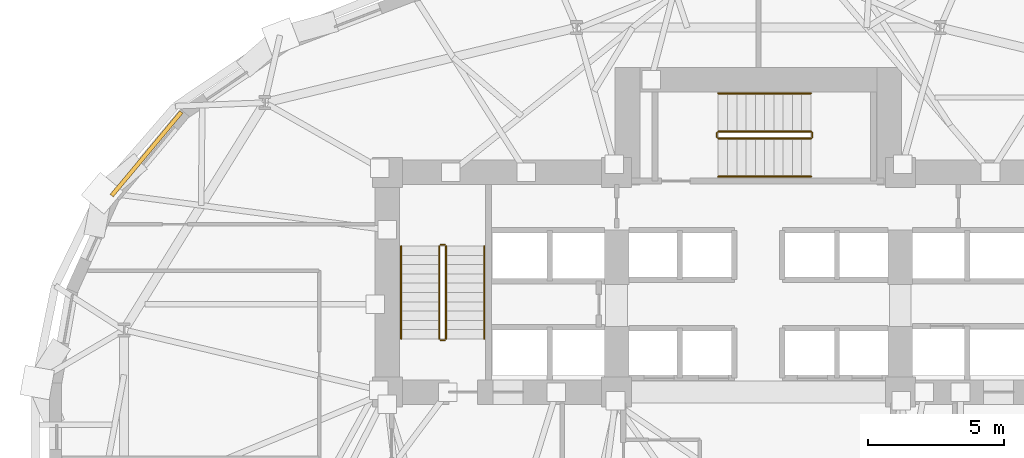
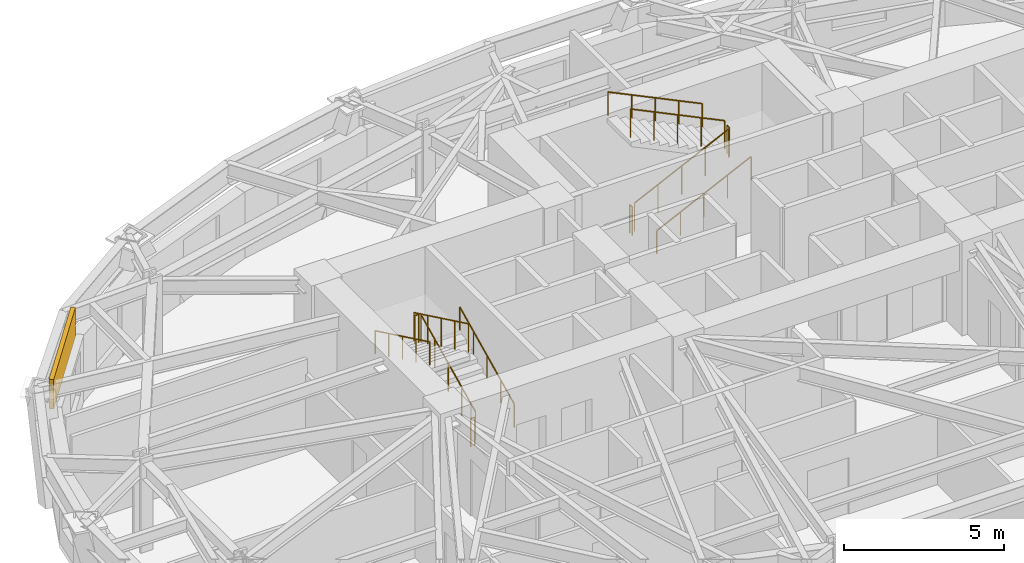
# One storey, part 11 of 13: 12 railings, 1 covering.
"""IFC4 building model written with IfcOpenShell, lengths in metres."""

from ifc_helpers import new_model, si_unit, direction, frame, origin, origin_2d, place, context, subcontext, project, spatial, rectangle, circle, extrude, material, layer, layer_set, type_object, element, save


model = new_model("IFC4")

# Units and contexts
model_context = context("Model", 3, precision=1e-05, world=origin(), true_north=direction((0.0, 1.0)))
body_context = subcontext(model_context, "Body", "Model", "MODEL_VIEW")
ifc_project = project(units=[si_unit("LENGTHUNIT", "METRE"), si_unit("AREAUNIT", "SQUARE_METRE"), si_unit("VOLUMEUNIT", "CUBIC_METRE"), si_unit("PLANEANGLEUNIT", "RADIAN"), si_unit("MASSUNIT", "GRAM", prefix="KILO")], contexts=[model_context])

# Site, building, storey
site_placement = place(None, origin())
site = spatial("IfcSite", under=ifc_project, at=site_placement, CompositionType="ELEMENT")
building_placement = place(site_placement, origin())
building = spatial("IfcBuilding", under=site, at=building_placement, Name="Keldmark Tower", CompositionType="ELEMENT")
storey_placement = place(building_placement, frame((0.0, 0.0, 34.199951171875)))
storey = spatial("IfcBuildingStorey", under=building, at=storey_placement, Name="L08", CompositionType="ELEMENT", Elevation=34.199951171875)

# Covering
ifc_material_1 = material(Name="Honed Kasota Buff Dolomitic Limestone", Category="masonry")
ifc_layer = layer(ifc_material_1, 0.074951171875)
ifc_layer_set = layer_set([ifc_layer], Name="Honed Kasota Buff Dolomitic Limestone")
covering_type = type_object("IfcCoveringType", Name="Kasota Buff Limestone Spandrel Cladding Band", PredefinedType="CLADDING", material=ifc_layer_set)
covering_placement = place(storey_placement, frame((-22.430419921875, 10.133544921875, 2.453125), z_axis=(0.0, 0.0, 1.0), x_axis=(-0.640686109478, -0.767802910337, 0.0)))
element("IfcCovering", 1, at=covering_placement, inside=storey, type_object=covering_type, Name="L08 Kasota Limestone Spandrel Band 13", PredefinedType="CLADDING", context=body_context, shape_type="SweptSolid", body=[
    extrude(rectangle(XDim=3.989501953125, YDim=0.14990234375, at=origin_2d()), origin(), (0.0, 0.0, 1.0), 1.126953125),
])

# Railings
ifc_material_2 = material(Name="Painted Steel ASTM A500 Grade B", Category="steel")
railing_type_1 = type_object("IfcRailingType", Name="Painted Steel Stair Well Guard 1100 mm", PredefinedType="GUARDRAIL", material=ifc_material_2)
railing_1_placement = place(storey_placement, frame((-11.449951171875, 3.35009765625, 0.16357421875)))
element("IfcRailing", 2, at=railing_1_placement, inside=storey, type_object=railing_type_1, Name="L08 ST1 stair guard 1", PredefinedType="GUARDRAIL", context=body_context, shape_type="SweptSolid", body=[
    extrude(circle(Radius=0.02392578125, at=origin_2d()), frame((0.0, 0.0, 1.076171875), z_axis=(0.0, 0.901055053782, 0.433704726806), x_axis=(-1.0, 0.0, 0.0)), (0.0, 0.0, 1.0), 3.773193359375),
    extrude(circle(Radius=0.02099609375, at=origin_2d()), origin(), (0.0, 0.0, 1.0), 1.052001953125),
    extrude(circle(Radius=0.02099609375, at=origin_2d()), frame((0.0, 0.85009765625, 0.4091796875)), (0.0, 0.0, 1.0), 1.052001953125),
    extrude(circle(Radius=0.02099609375, at=origin_2d()), frame((0.0, 1.699951171875, 0.818359375)), (0.0, 0.0, 1.0), 1.052001953125),
    extrude(circle(Radius=0.02099609375, at=origin_2d()), frame((0.0, 2.5498046875, 1.227294921875)), (0.0, 0.0, 1.0), 1.052001953125),
    extrude(circle(Radius=0.02099609375, at=origin_2d()), frame((0.0, 3.39990234375, 1.636474609375)), (0.0, 0.0, 1.0), 1.052001953125),
])
railing_2_placement = place(storey_placement, frame((-11.5, 6.800048828125, 1.800048828125)))
element("IfcRailing", 3, at=railing_2_placement, inside=storey, type_object=railing_type_1, Name="L08 ST1 stair guard 2", PredefinedType="GUARDRAIL", context=body_context, shape_type="SweptSolid", body=[
    extrude(circle(Radius=0.02392578125, at=origin_2d()), frame((0.0, 0.0, 1.076171875), z_axis=(-1.0, 0.0, 0.0), x_axis=(0.0, -1.0, 0.0)), (0.0, 0.0, 1.0), 0.14990234375),
    extrude(circle(Radius=0.02099609375, at=origin_2d()), origin(), (0.0, 0.0, 1.0), 1.052001953125),
    extrude(circle(Radius=0.02099609375, at=origin_2d()), frame((-0.14990234375, 0.0, 0.0)), (0.0, 0.0, 1.0), 1.052001953125),
])
railing_3_placement = place(storey_placement, frame((-11.699951171875, 6.75, 1.963623046875)))
element("IfcRailing", 4, at=railing_3_placement, inside=storey, type_object=railing_type_1, Name="L08 ST1 stair guard 3", PredefinedType="GUARDRAIL", context=body_context, shape_type="SweptSolid", body=[
    extrude(circle(Radius=0.02392578125, at=origin_2d()), frame((0.0, 0.0, 1.076171875), z_axis=(0.0, -0.901055053782, 0.433704726806), x_axis=(1.0, 0.0, 0.0)), (0.0, 0.0, 1.0), 3.773193359375),
    extrude(circle(Radius=0.02099609375, at=origin_2d()), origin(), (0.0, 0.0, 1.0), 1.052001953125),
    extrude(circle(Radius=0.02099609375, at=origin_2d()), frame((0.0, -0.85009765625, 0.4091796875)), (0.0, 0.0, 1.0), 1.052001953125),
    extrude(circle(Radius=0.02099609375, at=origin_2d()), frame((0.0, -1.699951171875, 0.818359375)), (0.0, 0.0, 1.0), 1.052001953125),
    extrude(circle(Radius=0.02099609375, at=origin_2d()), frame((0.0, -2.5498046875, 1.227294921875)), (0.0, 0.0, 1.0), 1.052001953125),
    extrude(circle(Radius=0.02099609375, at=origin_2d()), frame((0.0, -3.39990234375, 1.636474609375)), (0.0, 0.0, 1.0), 1.052001953125),
])
railing_4_placement = place(storey_placement, frame((-11.5, 3.300048828125, 0.0)))
element("IfcRailing", 5, at=railing_4_placement, inside=storey, type_object=railing_type_1, Name="L08 ST1 stair guard 4", PredefinedType="GUARDRAIL", context=body_context, shape_type="SweptSolid", body=[
    extrude(circle(Radius=0.02392578125, at=origin_2d()), frame((0.0, 0.0, 1.076171875), z_axis=(-1.0, 0.0, 0.0), x_axis=(0.0, -1.0, 0.0)), (0.0, 0.0, 1.0), 0.14990234375),
    extrude(circle(Radius=0.02099609375, at=origin_2d()), origin(), (0.0, 0.0, 1.0), 1.052001953125),
    extrude(circle(Radius=0.02099609375, at=origin_2d()), frame((-0.14990234375, 0.0, 0.0)), (0.0, 0.0, 1.0), 1.052001953125),
])
railing_5_placement = place(storey_placement, frame((-1.47509765625, 10.699951171875, 0.16357421875)))
element("IfcRailing", 6, at=railing_5_placement, inside=storey, type_object=railing_type_1, Name="L08 ST3 stair guard 1", PredefinedType="GUARDRAIL", context=body_context, shape_type="SweptSolid", body=[
    extrude(circle(Radius=0.02392578125, at=origin_2d()), frame((0.0, 0.0, 1.076171875), z_axis=(0.901067223353, 0.0, 0.433679442675), x_axis=(0.0, 1.0, 0.0)), (0.0, 0.0, 1.0), 3.7734375),
    extrude(circle(Radius=0.02099609375, at=origin_2d()), origin(), (0.0, 0.0, 1.0), 1.052001953125),
    extrude(circle(Radius=0.02099609375, at=origin_2d()), frame((0.85009765625, 0.0, 0.4091796875)), (0.0, 0.0, 1.0), 1.052001953125),
    extrude(circle(Radius=0.02099609375, at=origin_2d()), frame((1.7001953125, 0.0, 0.818359375)), (0.0, 0.0, 1.0), 1.052001953125),
    extrude(circle(Radius=0.02099609375, at=origin_2d()), frame((2.550048828125, 0.0, 1.227294921875)), (0.0, 0.0, 1.0), 1.052001953125),
    extrude(circle(Radius=0.02099609375, at=origin_2d()), frame((3.400146484375, 0.0, 1.636474609375)), (0.0, 0.0, 1.0), 1.052001953125),
])
railing_6_placement = place(storey_placement, frame((1.97509765625, 10.75, 1.800048828125)))
element("IfcRailing", 7, at=railing_6_placement, inside=storey, type_object=railing_type_1, Name="L08 ST3 stair guard 2", PredefinedType="GUARDRAIL", context=body_context, shape_type="SweptSolid", body=[
    extrude(circle(Radius=0.02392578125, at=origin_2d()), frame((0.0, 0.0, 1.076171875), z_axis=(0.0, 1.0, 0.0), x_axis=(-1.0, 0.0, 0.0)), (0.0, 0.0, 1.0), 0.14990234375),
    extrude(circle(Radius=0.02099609375, at=origin_2d()), origin(), (0.0, 0.0, 1.0), 1.052001953125),
    extrude(circle(Radius=0.02099609375, at=origin_2d()), frame((0.0, 0.14990234375, 0.0)), (0.0, 0.0, 1.0), 1.052001953125),
])
railing_7_placement = place(storey_placement, frame((1.925048828125, 10.949951171875, 1.963623046875)))
element("IfcRailing", 8, at=railing_7_placement, inside=storey, type_object=railing_type_1, Name="L08 ST3 stair guard 3", PredefinedType="GUARDRAIL", context=body_context, shape_type="SweptSolid", body=[
    extrude(circle(Radius=0.02392578125, at=origin_2d()), frame((0.0, 0.0, 1.076171875), z_axis=(-0.901067223353, 0.0, 0.433679442675), x_axis=(0.0, -1.0, 0.0)), (0.0, 0.0, 1.0), 3.7734375),
    extrude(circle(Radius=0.02099609375, at=origin_2d()), origin(), (0.0, 0.0, 1.0), 1.052001953125),
    extrude(circle(Radius=0.02099609375, at=origin_2d()), frame((-0.85009765625, 0.0, 0.4091796875)), (0.0, 0.0, 1.0), 1.052001953125),
    extrude(circle(Radius=0.02099609375, at=origin_2d()), frame((-1.7001953125, 0.0, 0.818359375)), (0.0, 0.0, 1.0), 1.052001953125),
    extrude(circle(Radius=0.02099609375, at=origin_2d()), frame((-2.550048828125, 0.0, 1.227294921875)), (0.0, 0.0, 1.0), 1.052001953125),
    extrude(circle(Radius=0.02099609375, at=origin_2d()), frame((-3.400146484375, 0.0, 1.636474609375)), (0.0, 0.0, 1.0), 1.052001953125),
])
railing_8_placement = place(storey_placement, frame((-1.52490234375, 10.75, 0.0)))
element("IfcRailing", 9, at=railing_8_placement, inside=storey, type_object=railing_type_1, Name="L08 ST3 stair guard 4", PredefinedType="GUARDRAIL", context=body_context, shape_type="SweptSolid", body=[
    extrude(circle(Radius=0.02392578125, at=origin_2d()), frame((0.0, 0.0, 1.076171875), z_axis=(0.0, 1.0, 0.0), x_axis=(-1.0, 0.0, 0.0)), (0.0, 0.0, 1.0), 0.14990234375),
    extrude(circle(Radius=0.02099609375, at=origin_2d()), origin(), (0.0, 0.0, 1.0), 1.052001953125),
    extrude(circle(Radius=0.02099609375, at=origin_2d()), frame((0.0, 0.14990234375, 0.0)), (0.0, 0.0, 1.0), 1.052001953125),
])
ifc_material_3 = material(Name="Stainless Steel AISI 316L", Category="steel")
railing_type_2 = type_object("IfcRailingType", Name="Stainless Steel Stair Handrail 900 mm", PredefinedType="HANDRAIL", material=ifc_material_3)
railing_9_placement = place(storey_placement, frame((-10.050048828125, 3.35009765625, 0.16357421875)))
element("IfcRailing", 10, at=railing_9_placement, inside=storey, type_object=railing_type_2, Name="L08 ST1 stair handrail 1", PredefinedType="HANDRAIL", context=body_context, shape_type="SweptSolid", body=[
    extrude(circle(Radius=0.02392578125, at=origin_2d()), frame((0.0, 0.0, 0.8759765625), z_axis=(0.0, 0.901055053782, 0.433704726806), x_axis=(-1.0, 0.0, 0.0)), (0.0, 0.0, 1.0), 3.773193359375),
    extrude(circle(Radius=0.02099609375, at=origin_2d()), origin(), (0.0, 0.0, 1.0), 0.851806640625),
    extrude(circle(Radius=0.02099609375, at=origin_2d()), frame((0.0, 0.85009765625, 0.4091796875)), (0.0, 0.0, 1.0), 0.851806640625),
    extrude(circle(Radius=0.02099609375, at=origin_2d()), frame((0.0, 1.699951171875, 0.818359375)), (0.0, 0.0, 1.0), 0.851806640625),
    extrude(circle(Radius=0.02099609375, at=origin_2d()), frame((0.0, 2.5498046875, 1.227294921875)), (0.0, 0.0, 1.0), 0.851806640625),
    extrude(circle(Radius=0.02099609375, at=origin_2d()), frame((0.0, 3.39990234375, 1.636474609375)), (0.0, 0.0, 1.0), 0.851806640625),
])
railing_10_placement = place(storey_placement, frame((-13.10009765625, 6.75, 1.963623046875)))
element("IfcRailing", 11, at=railing_10_placement, inside=storey, type_object=railing_type_2, Name="L08 ST1 stair handrail 2", PredefinedType="HANDRAIL", context=body_context, shape_type="SweptSolid", body=[
    extrude(circle(Radius=0.02392578125, at=origin_2d()), frame((0.0, 0.0, 0.8759765625), z_axis=(0.0, -0.901055053782, 0.433704726806), x_axis=(1.0, 0.0, 0.0)), (0.0, 0.0, 1.0), 3.773193359375),
    extrude(circle(Radius=0.02099609375, at=origin_2d()), origin(), (0.0, 0.0, 1.0), 0.851806640625),
    extrude(circle(Radius=0.02099609375, at=origin_2d()), frame((0.0, -0.85009765625, 0.4091796875)), (0.0, 0.0, 1.0), 0.851806640625),
    extrude(circle(Radius=0.02099609375, at=origin_2d()), frame((0.0, -1.699951171875, 0.818359375)), (0.0, 0.0, 1.0), 0.851806640625),
    extrude(circle(Radius=0.02099609375, at=origin_2d()), frame((0.0, -2.5498046875, 1.227294921875)), (0.0, 0.0, 1.0), 0.851806640625),
    extrude(circle(Radius=0.02099609375, at=origin_2d()), frame((0.0, -3.39990234375, 1.636474609375)), (0.0, 0.0, 1.0), 0.851806640625),
])
railing_11_placement = place(storey_placement, frame((-1.47509765625, 9.300048828125, 0.16357421875)))
element("IfcRailing", 12, at=railing_11_placement, inside=storey, type_object=railing_type_2, Name="L08 ST3 stair handrail 1", PredefinedType="HANDRAIL", context=body_context, shape_type="SweptSolid", body=[
    extrude(circle(Radius=0.02392578125, at=origin_2d()), frame((0.0, 0.0, 0.8759765625), z_axis=(0.901067223353, 0.0, 0.433679442675), x_axis=(0.0, 1.0, 0.0)), (0.0, 0.0, 1.0), 3.7734375),
    extrude(circle(Radius=0.02099609375, at=origin_2d()), origin(), (0.0, 0.0, 1.0), 0.851806640625),
    extrude(circle(Radius=0.02099609375, at=origin_2d()), frame((0.85009765625, 0.0, 0.4091796875)), (0.0, 0.0, 1.0), 0.851806640625),
    extrude(circle(Radius=0.02099609375, at=origin_2d()), frame((1.7001953125, 0.0, 0.818359375)), (0.0, 0.0, 1.0), 0.851806640625),
    extrude(circle(Radius=0.02099609375, at=origin_2d()), frame((2.550048828125, 0.0, 1.227294921875)), (0.0, 0.0, 1.0), 0.851806640625),
    extrude(circle(Radius=0.02099609375, at=origin_2d()), frame((3.400146484375, 0.0, 1.636474609375)), (0.0, 0.0, 1.0), 0.851806640625),
])
railing_12_placement = place(storey_placement, frame((1.925048828125, 12.35009765625, 1.963623046875)))
element("IfcRailing", 13, at=railing_12_placement, inside=storey, type_object=railing_type_2, Name="L08 ST3 stair handrail 2", PredefinedType="HANDRAIL", context=body_context, shape_type="SweptSolid", body=[
    extrude(circle(Radius=0.02392578125, at=origin_2d()), frame((0.0, 0.0, 0.8759765625), z_axis=(-0.901067223353, 0.0, 0.433679442675), x_axis=(0.0, -1.0, 0.0)), (0.0, 0.0, 1.0), 3.7734375),
    extrude(circle(Radius=0.02099609375, at=origin_2d()), origin(), (0.0, 0.0, 1.0), 0.851806640625),
    extrude(circle(Radius=0.02099609375, at=origin_2d()), frame((-0.85009765625, 0.0, 0.4091796875)), (0.0, 0.0, 1.0), 0.851806640625),
    extrude(circle(Radius=0.02099609375, at=origin_2d()), frame((-1.7001953125, 0.0, 0.818359375)), (0.0, 0.0, 1.0), 0.851806640625),
    extrude(circle(Radius=0.02099609375, at=origin_2d()), frame((-2.550048828125, 0.0, 1.227294921875)), (0.0, 0.0, 1.0), 0.851806640625),
    extrude(circle(Radius=0.02099609375, at=origin_2d()), frame((-3.400146484375, 0.0, 1.636474609375)), (0.0, 0.0, 1.0), 0.851806640625),
])

save(model, "model.ifc")
